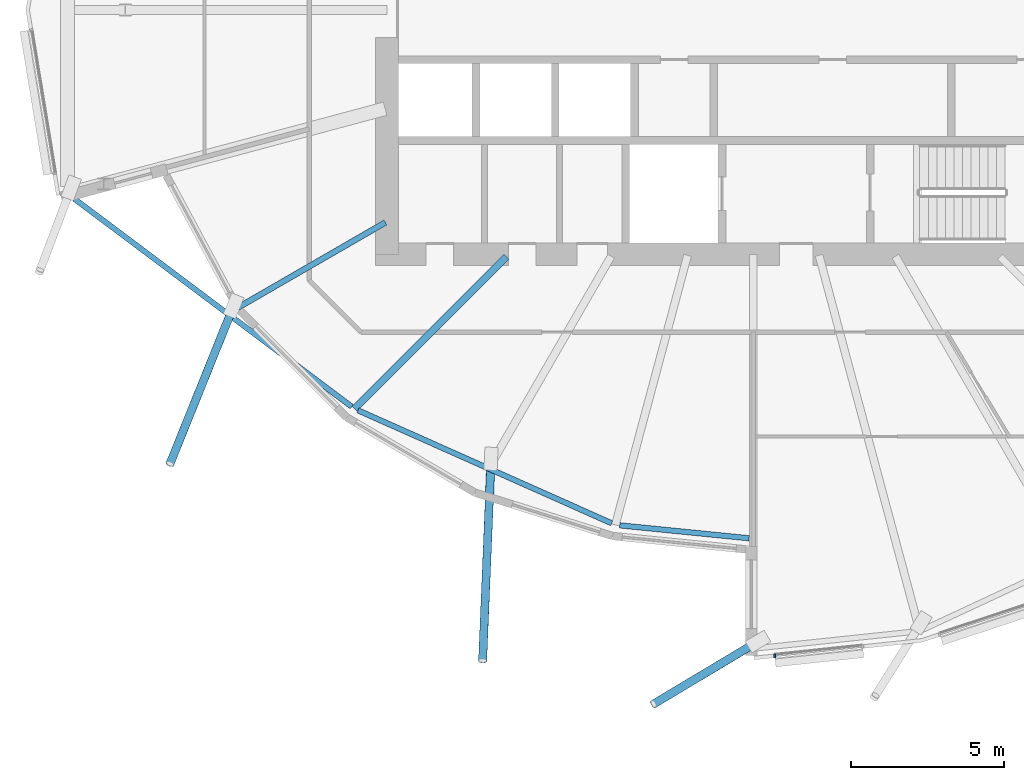
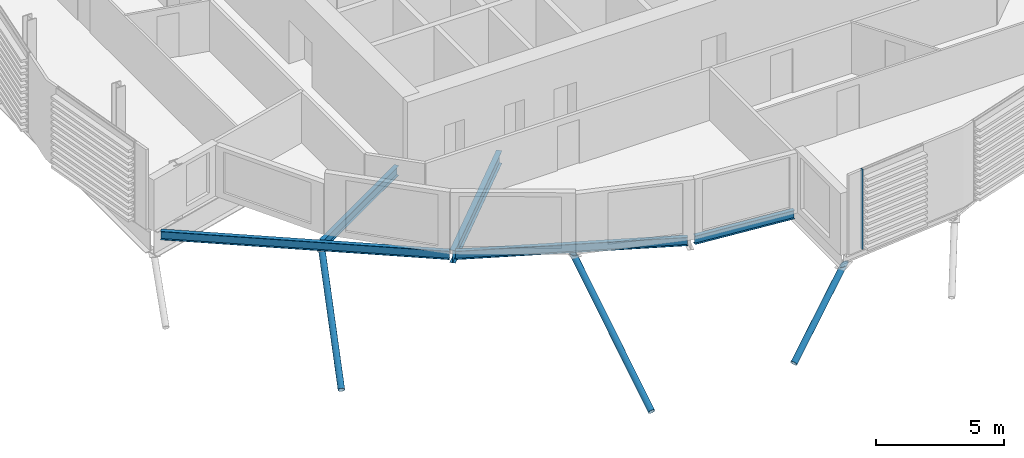
# One storey, part 3 of 40: 5 beams, 4 members, 1 element without a shape of its own.
"""IFC4 building model written with IfcOpenShell, lengths in metres."""

from ifc_helpers import new_model, si_unit, direction, frame, origin, origin_2d, place, context, subcontext, project, spatial, rectangle, hollow_circle, i_section, extrude, clip, halfspace, material, material_profile, profile_set, type_object, element, aggregate, save


model = new_model("IFC4")

# Units and contexts
model_context = context("Model", 3, precision=1e-05, world=origin(), true_north=direction((0.0, 1.0)))
body_context = subcontext(model_context, "Body", "Model", "MODEL_VIEW")
ifc_project = project(units=[si_unit("LENGTHUNIT", "METRE"), si_unit("AREAUNIT", "SQUARE_METRE"), si_unit("VOLUMEUNIT", "CUBIC_METRE"), si_unit("PLANEANGLEUNIT", "RADIAN"), si_unit("MASSUNIT", "GRAM", prefix="KILO")], contexts=[model_context])

# Site, building, storey
site_placement = place(None, origin())
site = spatial("IfcSite", under=ifc_project, at=site_placement, CompositionType="ELEMENT")
building_placement = place(site_placement, origin())
building = spatial("IfcBuilding", under=site, at=building_placement, Name="Rimbun Link Towers", CompositionType="ELEMENT")
storey_placement = place(building_placement, frame((0.0, 0.0, 89.199951171875)))
storey = spatial("IfcBuildingStorey", under=building, at=storey_placement, Name="L21", CompositionType="ELEMENT", Elevation=89.199951171875)

# Curtain wall, member
ifc_material_1 = material(Name="Aluminium 6063-T6 and low-iron glass", Category="aluminium")
curtain_wall_type = type_object("IfcCurtainWallType", Name="CW1-Z2 unitised vision wall (zone 2)", PredefinedType="NOTDEFINED", material=ifc_material_1)
curtain_wall_placement = place(storey_placement, origin())
curtain_wall = element("IfcCurtainWall", 1, at=curtain_wall_placement, inside=storey, type_object=curtain_wall_type, Name="CW1 L21 T1", PredefinedType="NOTDEFINED")
ifc_material_2 = material(Name="Aluminium 6063-T6", Category="aluminium")
ifc_material_profile_1 = material_profile(ifc_material_2, rectangle(XDim=0.1201171875, YDim=0.06005859375, at=origin_2d()), Name="MULLION 60X120")
ifc_profile_set_1 = profile_set([ifc_material_profile_1], Name="Aluminium 6063-T6")
member_type_1 = type_object("IfcMemberType", Name="CW1 mullion 60X120", PredefinedType="MULLION", material=ifc_profile_set_1)
member_1_placement = place(storey_placement, frame((-31.047607421875, -21.15234375, 0.0), z_axis=(0.0, 0.0, 1.0), x_axis=(0.104736404583, -0.994500017876, 0.0)))
member_1 = element("IfcMember", 2, at=member_1_placement, type_object=member_type_1, Name="CW1 mullion", PredefinedType="MULLION", context=body_context, shape_type="SweptSolid", body=[
    extrude(rectangle(XDim=0.1201171875, YDim=0.06005859375, at=origin_2d()), origin(), (0.0, 0.0, 1.0), 3.800048828125),
])
aggregate(curtain_wall, [member_1])

# Members
ifc_material_3 = material(Name="Steel S355J2H", Category="steel")
ifc_material_profile_2 = material_profile(ifc_material_3, hollow_circle(Radius=0.136474609375, WallThickness=0.012451171875, at=origin_2d()), Name="CHS 273x12.5")
ifc_profile_set_2 = profile_set([ifc_material_profile_2], Name="Steel S355J2H")
member_type_2 = type_object("IfcMemberType", Name="Floor edge link CHS 273x12.5", PredefinedType="BRACE", material=ifc_profile_set_2)
member_2_placement = place(storey_placement, frame((-48.843017578125, -9.86865234375, -0.73486328125), z_axis=(-0.330510256827, -0.81999810634, -0.467296560795), x_axis=(0.927494086483, -0.373837825184, 0.0)))
element("IfcMember", 3, at=member_2_placement, inside=storey, type_object=member_type_2, Name="Floor edge link T1 L21 14", PredefinedType="BRACE", context=body_context, shape_type="Clipping", body=[
    clip(extrude(hollow_circle(Radius=0.136474609375, WallThickness=0.012451171875, at=origin_2d()), frame((0.0, 0.0, -0.537841796875)), (0.0, 0.0, 1.0), 6.643798828125), halfspace(frame((0.0, 0.0, -0.255859375), z_axis=(0.0, 0.884100630171, -0.467296560795)), False)),
])
member_3_placement = place(storey_placement, frame((-40.348876953125, -14.8935546875, -0.9658203125), z_axis=(-0.036844889952, -0.887072720696, -0.460156975696), x_axis=(0.999138521192, -0.04149958397, 0.0)))
element("IfcMember", 4, at=member_3_placement, inside=storey, type_object=member_type_2, Name="Floor edge link T1 L21 16", PredefinedType="BRACE", context=body_context, shape_type="Clipping", body=[
    clip(extrude(hollow_circle(Radius=0.136474609375, WallThickness=0.012451171875, at=origin_2d()), frame((0.0, 0.0, -0.54833984375)), (0.0, 0.0, 1.0), 7.79736328125), halfspace(frame((0.0, 0.0, -0.261474609375), z_axis=(0.0, 0.88783757395, -0.460156975696)), False)),
])
member_4_placement = place(storey_placement, frame((-31.75, -20.774169921875, -0.963134765625), z_axis=(-0.748424900152, -0.448173981034, -0.488876519744), x_axis=(0.513753014478, -0.857938133035, 0.0)))
element("IfcMember", 5, at=member_4_placement, inside=storey, type_object=member_type_2, Name="Floor edge link T1 L21 18", PredefinedType="BRACE", context=body_context, shape_type="Clipping", body=[
    clip(extrude(hollow_circle(Radius=0.136474609375, WallThickness=0.012451171875, at=origin_2d()), frame((0.0, 0.0, -0.507568359375)), (0.0, 0.0, 1.0), 4.88623046875), halfspace(frame((0.0, 0.0, -0.24072265625), z_axis=(0.0, 0.872352995319, -0.488876519744)), False)),
])

# Beams
ifc_material_4 = material(Name="Steel S355J2", Category="steel")
ifc_material_profile_3 = material_profile(ifc_material_4, i_section(OverallWidth=0.177978515625, OverallDepth=0.406494140625, WebThickness=0.0078125, FlangeThickness=0.0126953125, at=origin_2d()), Name="UB 406x178x60")
ifc_profile_set_3 = profile_set([ifc_material_profile_3], Name="Steel S355J2")
beam_type_1 = type_object("IfcBeamType", Name="UB 406x178x60", PredefinedType="BEAM", material=ifc_profile_set_3)
beam_1_placement = place(storey_placement, frame((-53.978515625, -6.18994140625, -0.363037109375), z_axis=(0.800245347681, -0.599672730342, 0.0), x_axis=(0.599672730342, 0.800245347681, 0.0)))
element("IfcBeam", 6, at=beam_1_placement, inside=storey, type_object=beam_type_1, Name="Edge beam T1 L21 13-15", PredefinedType="BEAM", context=body_context, shape_type="SweptSolid", body=[
    extrude(i_section(OverallWidth=0.177978515625, OverallDepth=0.406494140625, WebThickness=0.0078125, FlangeThickness=0.0126953125, at=origin_2d()), origin(), (0.0, 0.0, 1.0), 11.3408203125),
])
beam_2_placement = place(storey_placement, frame((-44.697998046875, -13.110107421875, -0.363037109375), z_axis=(0.913544661284, -0.406738431721, 0.0), x_axis=(0.406738431721, 0.913544661284, 0.0)))
element("IfcBeam", 7, at=beam_2_placement, inside=storey, type_object=beam_type_1, Name="Edge beam T1 L21 15-17", PredefinedType="BEAM", context=body_context, shape_type="SweptSolid", body=[
    extrude(i_section(OverallWidth=0.177978515625, OverallDepth=0.406494140625, WebThickness=0.0078125, FlangeThickness=0.0126953125, at=origin_2d()), origin(), (0.0, 0.0, 1.0), 9.097900390625),
])
beam_3_placement = place(storey_placement, frame((-36.125, -16.87744140625, -0.363037109375), z_axis=(0.995042863655, -0.099446968228, 0.0), x_axis=(0.099446968228, 0.995042863655, 0.0)))
element("IfcBeam", 8, at=beam_3_placement, inside=storey, type_object=beam_type_1, Name="Edge beam T1 L21 17 recess", PredefinedType="BEAM", context=body_context, shape_type="SweptSolid", body=[
    extrude(i_section(OverallWidth=0.177978515625, OverallDepth=0.406494140625, WebThickness=0.0078125, FlangeThickness=0.0126953125, at=origin_2d()), origin(), (0.0, 0.0, 1.0), 4.25927734375),
])
ifc_material_5 = material(Name="Steel S355J2", Category="steel")
ifc_material_profile_4 = material_profile(ifc_material_5, i_section(OverallWidth=0.18994140625, OverallDepth=0.453369140625, WebThickness=0.008544921875, FlangeThickness=0.0126953125, at=origin_2d()), Name="UB 457x191x67")
ifc_profile_set_4 = profile_set([ifc_material_profile_4], Name="Steel S355J2")
beam_type_2 = type_object("IfcBeamType", Name="UB 457x191x67", PredefinedType="BEAM", material=ifc_profile_set_4)
beam_4_placement = place(storey_placement, frame((-43.79833984375, -6.9560546875, -0.38671875), z_axis=(-0.86602503688, -0.500000635496, 0.0), x_axis=(0.500000635496, -0.86602503688, 0.0)))
element("IfcBeam", 9, at=beam_4_placement, inside=storey, type_object=beam_type_2, Name="Radial beam T1 L21 14", PredefinedType="BEAM", context=body_context, shape_type="SweptSolid", body=[
    extrude(i_section(OverallWidth=0.18994140625, OverallDepth=0.453369140625, WebThickness=0.008544921875, FlangeThickness=0.0126953125, at=origin_2d()), origin(), (0.0, 0.0, 1.0), 5.875),
])
ifc_material_6 = material(Name="Steel S355J2", Category="steel")
ifc_material_profile_5 = material_profile(ifc_material_6, i_section(OverallWidth=0.2275390625, OverallDepth=0.6025390625, WebThickness=0.010498046875, FlangeThickness=0.014892578125, at=origin_2d()), Name="UB 610x229x101")
ifc_profile_set_5 = profile_set([ifc_material_profile_5], Name="Steel S355J2")
beam_type_3 = type_object("IfcBeamType", Name="UB 610x229x101", PredefinedType="BEAM", material=ifc_profile_set_5)
beam_5_placement = place(storey_placement, frame((-39.831298828125, -8.081298828125, -0.461181640625), z_axis=(-0.707106781187, -0.707106781187, 0.0), x_axis=(0.707106781187, -0.707106781187, 0.0)))
element("IfcBeam", 10, at=beam_5_placement, inside=storey, type_object=beam_type_3, Name="Radial beam T1 L21 15", PredefinedType="BEAM", context=body_context, shape_type="SweptSolid", body=[
    extrude(i_section(OverallWidth=0.2275390625, OverallDepth=0.6025390625, WebThickness=0.010498046875, FlangeThickness=0.014892578125, at=origin_2d()), origin(), (0.0, 0.0, 1.0), 7.041259765625),
])

save(model, "model.ifc")
